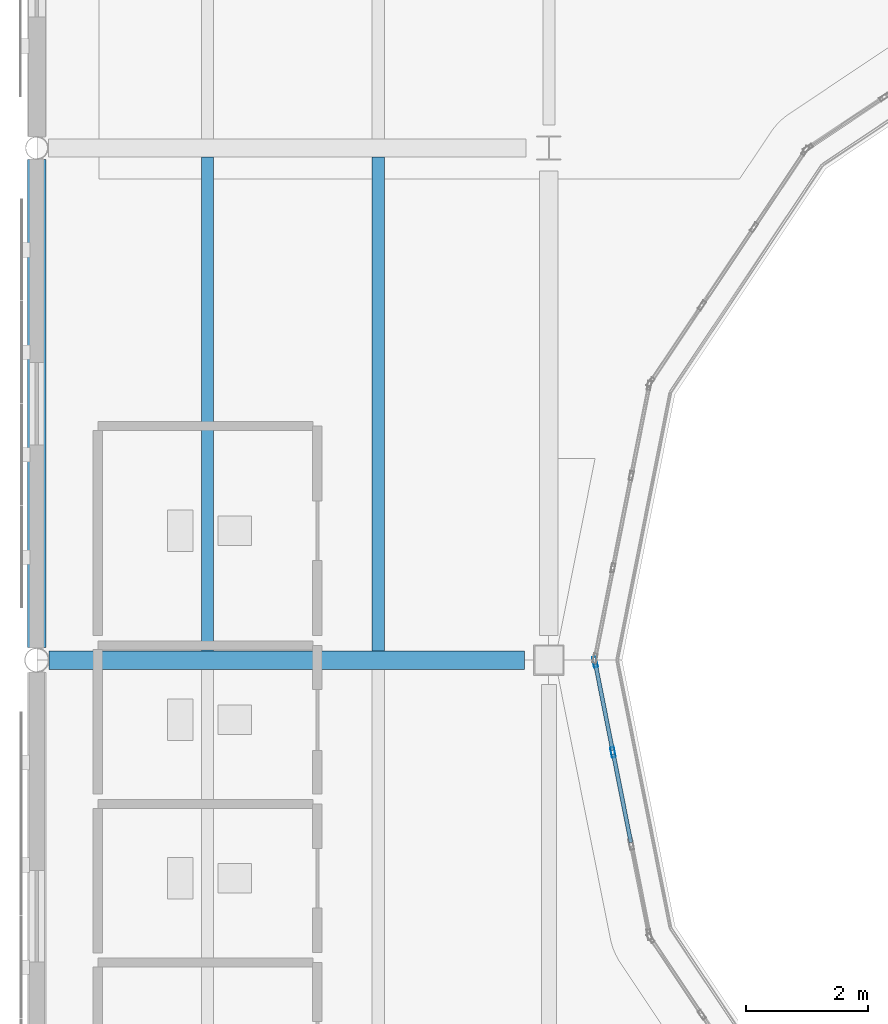
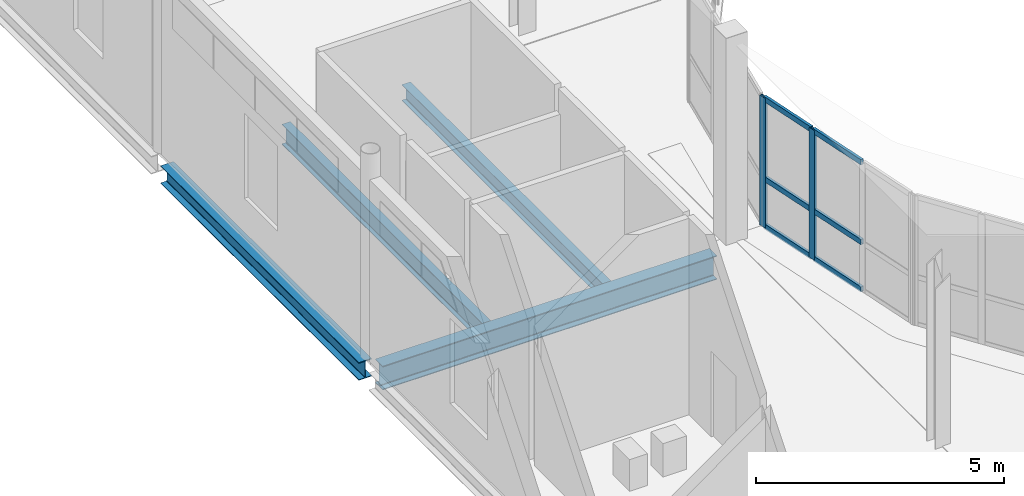
# One storey, part 18 of 104: 8 members, 4 beams, 1 element without a shape of its own.
"""IFC4 building model written with IfcOpenShell, lengths in metres."""

from ifc_helpers import new_model, si_unit, direction, frame, origin, origin_2d, place, context, subcontext, project, spatial, hollow_rectangle, i_section, extrude, material, layer, layer_set, material_profile, profile_set, type_object, element, aggregate, save


model = new_model("IFC4")

# Units and contexts
model_context = context("Model", 3, precision=1e-05, world=origin(), true_north=direction((0.0, 1.0)))
body_context = subcontext(model_context, "Body", "Model", "MODEL_VIEW")
ifc_project = project(units=[si_unit("LENGTHUNIT", "METRE"), si_unit("AREAUNIT", "SQUARE_METRE"), si_unit("VOLUMEUNIT", "CUBIC_METRE"), si_unit("PLANEANGLEUNIT", "RADIAN"), si_unit("MASSUNIT", "GRAM", prefix="KILO"), si_unit("THERMODYNAMICTEMPERATUREUNIT", "KELVIN")], contexts=[model_context])

# Site, building, storey
site_placement = place(None, origin())
site = spatial("IfcSite", under=ifc_project, at=site_placement, CompositionType="ELEMENT")
building_placement = place(site_placement, origin())
building = spatial("IfcBuilding", under=site, at=building_placement, Name="Lustrewick Department Store", CompositionType="ELEMENT")
storey_placement = place(building_placement, frame((0.0, 0.0, 11.39990234375)))
storey = spatial("IfcBuildingStorey", under=building, at=storey_placement, Name="L03", CompositionType="ELEMENT", Elevation=11.39990234375)

# Beams
ifc_material_1 = material(Name="Structural steel Q355B", Category="steel")
ifc_material_profile_1 = material_profile(ifc_material_1, i_section(OverallWidth=0.198974609375, OverallDepth=0.49609375, WebThickness=0.009033203125, FlangeThickness=0.013916015625, FilletRadius=0.01611328125, at=origin_2d()), Name="HN 496x199x9x14")
ifc_profile_set_1 = profile_set([ifc_material_profile_1], Name="Structural steel Q355B")
beam_type_1 = type_object("IfcBeamType", Name="B02", PredefinedType="JOIST", material=ifc_profile_set_1)
beam_1_placement = place(storey_placement, frame((11.199951171875, 67.35009765625, -0.5029296875), z_axis=(0.0, 1.0, 0.0), x_axis=(-1.0, 0.0, 0.0)))
element("IfcBeam", 1, at=beam_1_placement, inside=storey, type_object=beam_type_1, Name="L03 V1 Secondary Joist B02", PredefinedType="JOIST", context=body_context, shape_type="SweptSolid", body=[
    extrude(i_section(OverallWidth=0.198974609375, OverallDepth=0.49609375, WebThickness=0.009033203125, FlangeThickness=0.013916015625, FilletRadius=0.01611328125, at=origin_2d()), origin(), (0.0, 0.0, 1.0), 8.099853515625),
])
ifc_material_profile_2 = material_profile(ifc_material_1, i_section(OverallWidth=0.198974609375, OverallDepth=0.39599609375, WebThickness=0.007080078125, FlangeThickness=0.010986328125, FilletRadius=0.013916015625, at=origin_2d()), Name="HN 396x199x7x11")
ifc_profile_set_2 = profile_set([ifc_material_profile_2], Name="Structural steel Q355B")
beam_type_2 = type_object("IfcBeamType", Name="B06", PredefinedType="JOIST", material=ifc_profile_set_2)
beam_2_placement = place(storey_placement, frame((14.0, 67.35009765625, -0.452880859375), z_axis=(0.0, 1.0, 0.0), x_axis=(-1.0, 0.0, 0.0)))
element("IfcBeam", 2, at=beam_2_placement, inside=storey, type_object=beam_type_2, Name="L03 V1 Secondary Joist B06", PredefinedType="JOIST", context=body_context, shape_type="SweptSolid", body=[
    extrude(i_section(OverallWidth=0.198974609375, OverallDepth=0.39599609375, WebThickness=0.007080078125, FlangeThickness=0.010986328125, FilletRadius=0.013916015625, at=origin_2d()), origin(), (0.0, 0.0, 1.0), 8.099853515625),
])

# Curtain wall, members
ifc_material_2 = material(Name="Thermally broken aluminium 6063-T5", Category="aluminium")
ifc_layer = layer(ifc_material_2, 0.169921875, Name="Thermally broken aluminium 6063-T5")
ifc_layer_set = layer_set([ifc_layer], Name="Thermally broken aluminium 6063-T5")
curtain_wall_type = type_object("IfcCurtainWallType", Name="CW16", PredefinedType="NOTDEFINED", material=ifc_layer_set)
curtain_wall_placement = place(storey_placement, origin())
curtain_wall = element("IfcCurtainWall", 3, at=curtain_wall_placement, inside=storey, type_object=curtain_wall_type, Name="L03 Atrium Glazed Screen CW16", PredefinedType="NOTDEFINED")
ifc_material_profile_3 = material_profile(ifc_material_2, hollow_rectangle(XDim=0.06494140625, YDim=0.169921875, WallThickness=0.00390625, at=origin_2d()), Name="ALU-M 65x170x4")
ifc_profile_set_3 = profile_set([ifc_material_profile_3], Name="Thermally broken aluminium 6063-T5")
member_type_1 = type_object("IfcMemberType", Name="CW16-M1", PredefinedType="MULLION", material=ifc_profile_set_3)
member_1_placement = place(storey_placement, frame((17.556396484375, 67.168212890625, 0.0), z_axis=(0.0, 0.0, 1.0), x_axis=(0.980786430993, 0.195084537521, 0.0)))
member_1 = element("IfcMember", 4, at=member_1_placement, type_object=member_type_1, Name="CW16 mullion 1", PredefinedType="MULLION", context=body_context, shape_type="SweptSolid", body=[
    extrude(hollow_rectangle(XDim=0.06494140625, YDim=0.169921875, WallThickness=0.00390625, at=origin_2d()), origin(), (0.0, 0.0, 1.0), 3.2001953125),
])
member_2_placement = place(storey_placement, frame((17.8505859375, 65.6884765625, 0.0), z_axis=(0.0, 0.0, 1.0), x_axis=(0.980786430993, 0.195084537521, 0.0)))
member_2 = element("IfcMember", 5, at=member_2_placement, type_object=member_type_1, Name="CW16 mullion 2", PredefinedType="MULLION", context=body_context, shape_type="SweptSolid", body=[
    extrude(hollow_rectangle(XDim=0.06494140625, YDim=0.169921875, WallThickness=0.00390625, at=origin_2d()), origin(), (0.0, 0.0, 1.0), 3.2001953125),
])
ifc_material_profile_4 = material_profile(ifc_material_2, hollow_rectangle(XDim=0.06494140625, YDim=0.1298828125, WallThickness=0.00341796875, at=origin_2d()), Name="ALU-T 65x130x3.5")
ifc_profile_set_4 = profile_set([ifc_material_profile_4], Name="Thermally broken aluminium 6063-T5")
member_type_2 = type_object("IfcMemberType", Name="CW16-T1", PredefinedType="USERDEFINED", material=ifc_profile_set_4)
member_3_placement = place(storey_placement, frame((17.562744140625, 67.13623046875, 0.03271484375), z_axis=(0.19497779785, -0.980807656141, 0.0), x_axis=(0.980807656141, 0.19497779785, 0.0)))
member_3 = element("IfcMember", 6, at=member_3_placement, type_object=member_type_2, Name="CW16 transom 1.1", ObjectType="TRANSOM", PredefinedType="USERDEFINED", context=body_context, shape_type="SweptSolid", body=[
    extrude(hollow_rectangle(XDim=0.06494140625, YDim=0.1298828125, WallThickness=0.00341796875, at=origin_2d()), origin(), (0.0, 0.0, 1.0), 1.443603515625),
])
member_4_placement = place(storey_placement, frame((17.562744140625, 67.13623046875, 1.2001953125), z_axis=(0.19497779785, -0.980807656141, 0.0), x_axis=(0.980807656141, 0.19497779785, 0.0)))
member_4 = element("IfcMember", 7, at=member_4_placement, type_object=member_type_2, Name="CW16 transom 1.2", ObjectType="TRANSOM", PredefinedType="USERDEFINED", context=body_context, shape_type="SweptSolid", body=[
    extrude(hollow_rectangle(XDim=0.06494140625, YDim=0.1298828125, WallThickness=0.00341796875, at=origin_2d()), origin(), (0.0, 0.0, 1.0), 1.443603515625),
])
member_5_placement = place(storey_placement, frame((17.562744140625, 67.13623046875, 3.16748046875), z_axis=(0.19497779785, -0.980807656141, 0.0), x_axis=(0.980807656141, 0.19497779785, 0.0)))
member_5 = element("IfcMember", 8, at=member_5_placement, type_object=member_type_2, Name="CW16 transom 1.3", ObjectType="TRANSOM", PredefinedType="USERDEFINED", context=body_context, shape_type="SweptSolid", body=[
    extrude(hollow_rectangle(XDim=0.06494140625, YDim=0.1298828125, WallThickness=0.00341796875, at=origin_2d()), origin(), (0.0, 0.0, 1.0), 1.443603515625),
])
member_6_placement = place(storey_placement, frame((17.85693359375, 65.656494140625, 0.03271484375), z_axis=(0.195161861091, -0.980771047684, 0.0), x_axis=(0.980771047684, 0.195161861091, 0.0)))
member_6 = element("IfcMember", 9, at=member_6_placement, type_object=member_type_2, Name="CW16 transom 2.1", ObjectType="TRANSOM", PredefinedType="USERDEFINED", context=body_context, shape_type="SweptSolid", body=[
    extrude(hollow_rectangle(XDim=0.06494140625, YDim=0.1298828125, WallThickness=0.00341796875, at=origin_2d()), origin(), (0.0, 0.0, 1.0), 1.47607421875),
])
member_7_placement = place(storey_placement, frame((17.85693359375, 65.656494140625, 1.2001953125), z_axis=(0.195161861091, -0.980771047684, 0.0), x_axis=(0.980771047684, 0.195161861091, 0.0)))
member_7 = element("IfcMember", 10, at=member_7_placement, type_object=member_type_2, Name="CW16 transom 2.2", ObjectType="TRANSOM", PredefinedType="USERDEFINED", context=body_context, shape_type="SweptSolid", body=[
    extrude(hollow_rectangle(XDim=0.06494140625, YDim=0.1298828125, WallThickness=0.00341796875, at=origin_2d()), origin(), (0.0, 0.0, 1.0), 1.47607421875),
])
member_8_placement = place(storey_placement, frame((17.85693359375, 65.656494140625, 3.16748046875), z_axis=(0.195161861091, -0.980771047684, 0.0), x_axis=(0.980771047684, 0.195161861091, 0.0)))
member_8 = element("IfcMember", 11, at=member_8_placement, type_object=member_type_2, Name="CW16 transom 2.3", ObjectType="TRANSOM", PredefinedType="USERDEFINED", context=body_context, shape_type="SweptSolid", body=[
    extrude(hollow_rectangle(XDim=0.06494140625, YDim=0.1298828125, WallThickness=0.00341796875, at=origin_2d()), origin(), (0.0, 0.0, 1.0), 1.47607421875),
])
aggregate(curtain_wall, [member_1, member_2, member_3, member_4, member_5, member_6, member_7, member_8])

# Beams
ifc_material_profile_5 = material_profile(ifc_material_1, i_section(OverallWidth=0.300048828125, OverallDepth=0.587890625, WebThickness=0.011962890625, FlangeThickness=0.02001953125, FilletRadius=0.02392578125, at=origin_2d()), Name="HM 588x300x12x20")
ifc_profile_set_5 = profile_set([ifc_material_profile_5], Name="Structural steel Q355B")
beam_type_3 = type_object("IfcBeamType", Name="G11", PredefinedType="BEAM", material=ifc_profile_set_5)
beam_3_placement = place(storey_placement, frame((8.60302734375, 67.199951171875, -0.548828125), z_axis=(1.0, 0.0, 0.0), x_axis=(0.0, 1.0, 0.0)))
element("IfcBeam", 12, at=beam_3_placement, inside=storey, type_object=beam_type_3, Name="L03 V1 Girder G11", PredefinedType="BEAM", context=body_context, shape_type="SweptSolid", body=[
    extrude(i_section(OverallWidth=0.300048828125, OverallDepth=0.587890625, WebThickness=0.011962890625, FlangeThickness=0.02001953125, FilletRadius=0.02392578125, at=origin_2d()), origin(), (0.0, 0.0, 1.0), 7.796875),
])
ifc_material_profile_6 = material_profile(ifc_material_1, i_section(OverallWidth=0.300048828125, OverallDepth=0.43994140625, WebThickness=0.010986328125, FlangeThickness=0.01806640625, FilletRadius=0.02001953125, at=origin_2d()), Name="HM 440x300x11x18")
ifc_profile_set_6 = profile_set([ifc_material_profile_6], Name="Structural steel Q355B")
beam_type_4 = type_object("IfcBeamType", Name="SP02", PredefinedType="SPANDREL", material=ifc_profile_set_6)
beam_4_placement = place(storey_placement, frame((8.39990234375, 67.403076171875, -0.474853515625), z_axis=(0.0, 1.0, 0.0), x_axis=(-1.0, 0.0, 0.0)))
element("IfcBeam", 13, at=beam_4_placement, inside=storey, type_object=beam_type_4, Name="L03 V1 Girder SP02", PredefinedType="SPANDREL", context=body_context, shape_type="SweptSolid", body=[
    extrude(i_section(OverallWidth=0.300048828125, OverallDepth=0.43994140625, WebThickness=0.010986328125, FlangeThickness=0.01806640625, FilletRadius=0.02001953125, at=origin_2d()), origin(), (0.0, 0.0, 1.0), 8.008544921875),
])

save(model, "model.ifc")
